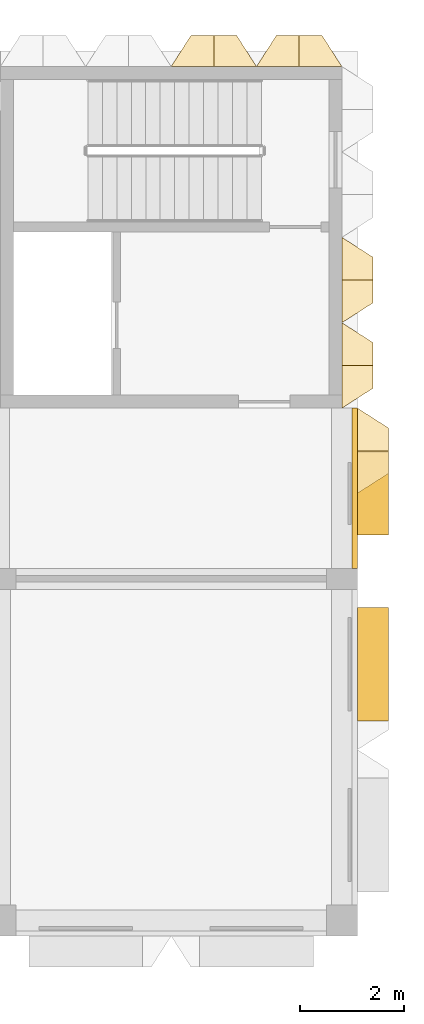
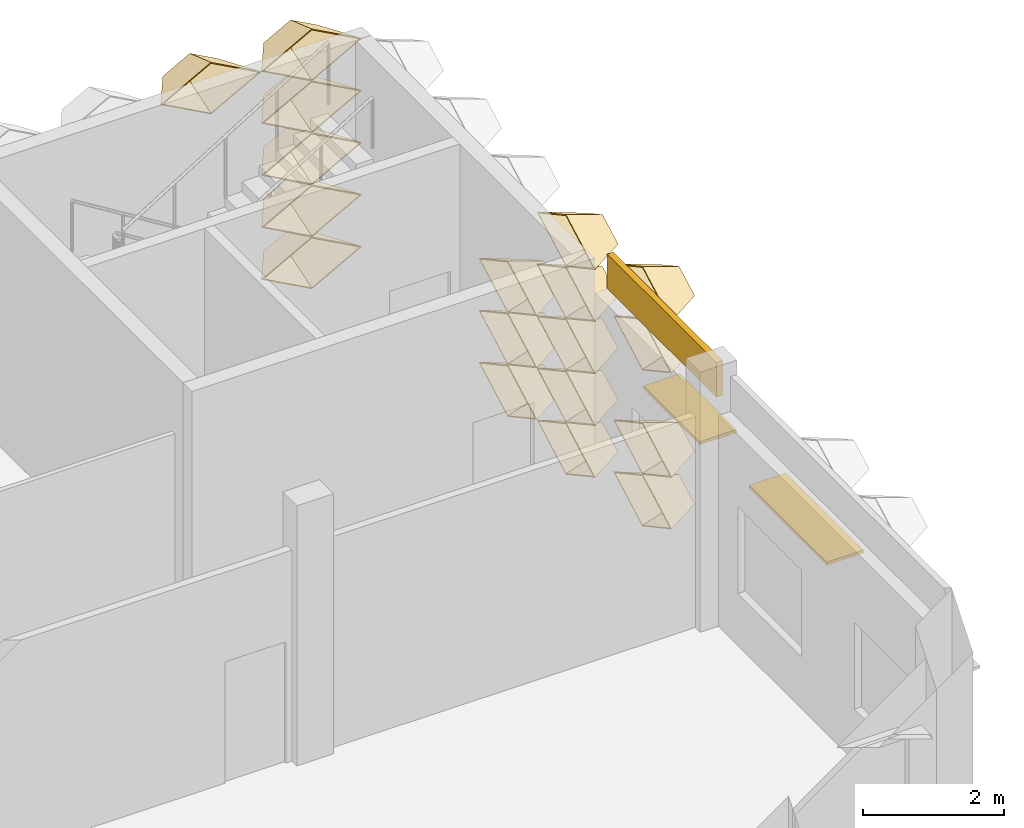
# One storey, part 99 of 109: 19 coverings, 2 shading devices.
"""IFC4 building model written with IfcOpenShell, lengths in metres."""

from ifc_helpers import new_model, entity, si_unit, direction, frame, frame_2d, origin, origin_2d, place, context, subcontext, project, spatial, rectangle, extrude, material, layer, layer_set, type_object, element, save


model = new_model("IFC4")

# Units and contexts
model_context = context("Model", 3, precision=1e-05, world=origin(), true_north=direction((0.0, 1.0)))
body_context = subcontext(model_context, "Body", "Model", "MODEL_VIEW")
ifc_project = project(units=[si_unit("LENGTHUNIT", "METRE"), si_unit("AREAUNIT", "SQUARE_METRE"), si_unit("VOLUMEUNIT", "CUBIC_METRE"), si_unit("PLANEANGLEUNIT", "RADIAN"), si_unit("MASSUNIT", "GRAM", prefix="KILO")], contexts=[model_context])

# Site, building, storey
site_placement = place(None, origin())
site = spatial("IfcSite", under=ifc_project, at=site_placement, CompositionType="ELEMENT")
building_placement = place(site_placement, origin())
building = spatial("IfcBuilding", under=site, at=building_placement, Name="Lantern Court Research Institute", CompositionType="ELEMENT")
storey_placement = place(building_placement, frame((0.0, 0.0, 14.39990234375)))
storey = spatial("IfcBuildingStorey", under=building, at=storey_placement, Name="L03", CompositionType="ELEMENT", Elevation=14.39990234375)

# Shading devices
ifc_material_1 = material(Name="Aluminium alloy 6063-T6", Category="aluminium")
ifc_layer_1 = layer(ifc_material_1, 0.050048828125)
ifc_layer_set_1 = layer_set([ifc_layer_1], Name="Aluminium alloy 6063-T6")
shading_device_type_1 = type_object("IfcShadingDeviceType", Name="Brise-soleil blade 1600 x 600 x 50 aluminium", PredefinedType="USERDEFINED", material=ifc_layer_set_1)
shading_device_1_placement = place(storey_placement, frame((79.800048828125, 90.75, 2.39990234375), z_axis=(0.0, 0.0, 1.0), x_axis=(0.0, -1.0, 0.0)))
element("IfcShadingDevice", 1, at=shading_device_1_placement, inside=storey, type_object=shading_device_type_1, Name="Brise-soleil blade L03 E", ObjectType="LOUVRE", PredefinedType="USERDEFINED", context=body_context, shape_type="SweptSolid", body=[
    extrude(rectangle(XDim=1.60009765625, YDim=0.60009765625, at=origin_2d()), origin(), (0.0, 0.0, 1.0), 0.050048828125),
])
ifc_material_2 = material(Name="Aluminium alloy 6063-T6", Category="aluminium")
ifc_layer_2 = layer(ifc_material_2, 0.050048828125)
ifc_layer_set_2 = layer_set([ifc_layer_2], Name="Aluminium alloy 6063-T6")
shading_device_type_2 = type_object("IfcShadingDeviceType", Name="Brise-soleil blade 2200 x 600 x 50 aluminium", PredefinedType="USERDEFINED", material=ifc_layer_set_2)
shading_device_2_placement = place(storey_placement, frame((79.800048828125, 87.449951171875, 2.5), z_axis=(0.0, 0.0, 1.0), x_axis=(0.0, -1.0, 0.0)))
element("IfcShadingDevice", 2, at=shading_device_2_placement, inside=storey, type_object=shading_device_type_2, Name="Brise-soleil blade L03 E", ObjectType="LOUVRE", PredefinedType="USERDEFINED", context=body_context, shape_type="SweptSolid", body=[
    extrude(rectangle(XDim=2.199951171875, YDim=0.60009765625, at=origin_2d()), origin(), (0.0, 0.0, 1.0), 0.050048828125),
])

# Coverings
ifc_material_3 = material(Name="Aluminium composite panel with mineral wool insulation", Category="aluminium")
ifc_layer_3 = layer(ifc_material_3, 0.10009765625)
ifc_layer_set_3 = layer_set([ifc_layer_3], Name="Aluminium composite panel with mineral wool insulation")
covering_type_1 = type_object("IfcCoveringType", Name="Edge fascia panel 100 aluminium faced", PredefinedType="CLADDING", material=ifc_layer_set_3)
covering_1_placement = place(storey_placement, frame((79.449951171875, 92.39990234375, 3.650146484375), z_axis=(0.0, 0.0, 1.0), x_axis=(0.0, -1.0, 0.0)))
element("IfcCovering", 3, at=covering_1_placement, inside=storey, type_object=covering_type_1, Name="Edge fascia V6E L03 02", PredefinedType="CLADDING", context=body_context, shape_type="SweptSolid", body=[
    extrude(rectangle(XDim=3.099853515625, YDim=0.10009765625, at=frame_2d((1.5498046875, 0.0))), origin(), (0.0, 0.0, 1.0), 0.599853515625),
])
ifc_material_4 = material(Name="Anodised aluminium", Category="aluminium")
ifc_layer_4 = layer(ifc_material_4, 0.01611328125)
ifc_layer_set_4 = layer_set([ifc_layer_4], Name="Anodised aluminium")
covering_type_2 = type_object("IfcCoveringType", Name="Fin cassette 1650 x 900 x 600 aluminium", PredefinedType="CLADDING", material=ifc_layer_set_4)
covering_2_placement = place(storey_placement, frame((79.199951171875, 93.22509765625, 0.4501953125), z_axis=(1.0, 0.0, 0.0), x_axis=(0.0, 1.0, 0.0)))
cartesian_point_1 = entity("IfcCartesianPoint", [0.824951171875, 0.0])
cartesian_point_2 = entity("IfcCartesianPoint", [0.79150390625, 0.0])
cartesian_point_3 = entity("IfcCartesianPoint", [0.44189453125, 0.0])
cartesian_point_4 = entity("IfcCartesianPoint", [0.43359375, 0.0])
element("IfcCovering", 4, at=covering_2_placement, inside=storey, type_object=covering_type_2, Name="Fin cassette V6E-L03 1.57", PredefinedType="CLADDING", context=body_context, shape_type="SweptSolid", body=[
    entity("IfcExtrudedAreaSolidTapered", entity("IfcArbitraryProfileDefWithVoids", "AREA", None, entity("IfcPolyline", [cartesian_point_1, entity("IfcCartesianPoint", [0.0, 0.449951171875]), entity("IfcCartesianPoint", [-0.824951171875, 0.0]), entity("IfcCartesianPoint", [0.0, -0.449951171875]), cartesian_point_1]), [entity("IfcPolyline", [cartesian_point_2, entity("IfcCartesianPoint", [0.0, 0.431884765625]), entity("IfcCartesianPoint", [-0.79150390625, 0.0]), entity("IfcCartesianPoint", [0.0, -0.431884765625]), cartesian_point_2])]), entity("IfcAxis2Placement3D", entity("IfcCartesianPoint", [0.0, 0.0, 0.0])), entity("IfcDirection", [0.0, 0.0, 1.0]), 0.60009765625, entity("IfcArbitraryProfileDefWithVoids", "AREA", None, entity("IfcPolyline", [cartesian_point_3, entity("IfcCartesianPoint", [0.0, 0.240966796875]), entity("IfcCartesianPoint", [-0.44189453125, 0.0]), entity("IfcCartesianPoint", [0.0, -0.240966796875]), cartesian_point_3]), [entity("IfcPolyline", [cartesian_point_4, entity("IfcCartesianPoint", [0.0, 0.236572265625]), entity("IfcCartesianPoint", [-0.43359375, 0.0]), entity("IfcCartesianPoint", [0.0, -0.236572265625]), cartesian_point_4])])),
])
covering_3_placement = place(storey_placement, frame((79.199951171875, 94.875, 0.4501953125), z_axis=(1.0, 0.0, 0.0), x_axis=(0.0, 1.0, 0.0)))
cartesian_point_5 = entity("IfcCartesianPoint", [0.824951171875, 0.0])
cartesian_point_6 = entity("IfcCartesianPoint", [0.79150390625, 0.0])
cartesian_point_7 = entity("IfcCartesianPoint", [0.44189453125, 0.0])
cartesian_point_8 = entity("IfcCartesianPoint", [0.43359375, 0.0])
element("IfcCovering", 5, at=covering_3_placement, inside=storey, type_object=covering_type_2, Name="Fin cassette V6E-L03 1.58", PredefinedType="CLADDING", context=body_context, shape_type="SweptSolid", body=[
    entity("IfcExtrudedAreaSolidTapered", entity("IfcArbitraryProfileDefWithVoids", "AREA", None, entity("IfcPolyline", [cartesian_point_5, entity("IfcCartesianPoint", [0.0, 0.449951171875]), entity("IfcCartesianPoint", [-0.824951171875, 0.0]), entity("IfcCartesianPoint", [0.0, -0.449951171875]), cartesian_point_5]), [entity("IfcPolyline", [cartesian_point_6, entity("IfcCartesianPoint", [0.0, 0.431884765625]), entity("IfcCartesianPoint", [-0.79150390625, 0.0]), entity("IfcCartesianPoint", [0.0, -0.431884765625]), cartesian_point_6])]), entity("IfcAxis2Placement3D", entity("IfcCartesianPoint", [0.0, 0.0, 0.0])), entity("IfcDirection", [0.0, 0.0, 1.0]), 0.60009765625, entity("IfcArbitraryProfileDefWithVoids", "AREA", None, entity("IfcPolyline", [cartesian_point_7, entity("IfcCartesianPoint", [0.0, 0.240966796875]), entity("IfcCartesianPoint", [-0.44189453125, 0.0]), entity("IfcCartesianPoint", [0.0, -0.240966796875]), cartesian_point_7]), [entity("IfcPolyline", [cartesian_point_8, entity("IfcCartesianPoint", [0.0, 0.236572265625]), entity("IfcCartesianPoint", [-0.43359375, 0.0]), entity("IfcCartesianPoint", [0.0, -0.236572265625]), cartesian_point_8])])),
])
covering_4_placement = place(storey_placement, frame((79.199951171875, 93.22509765625, 1.35009765625), z_axis=(1.0, 0.0, 0.0), x_axis=(0.0, 1.0, 0.0)))
cartesian_point_9 = entity("IfcCartesianPoint", [0.824951171875, 0.0])
cartesian_point_10 = entity("IfcCartesianPoint", [0.79150390625, 0.0])
cartesian_point_11 = entity("IfcCartesianPoint", [0.44189453125, 0.0])
cartesian_point_12 = entity("IfcCartesianPoint", [0.43359375, 0.0])
element("IfcCovering", 6, at=covering_4_placement, inside=storey, type_object=covering_type_2, Name="Fin cassette V6E-L03 2.57", PredefinedType="CLADDING", context=body_context, shape_type="SweptSolid", body=[
    entity("IfcExtrudedAreaSolidTapered", entity("IfcArbitraryProfileDefWithVoids", "AREA", None, entity("IfcPolyline", [cartesian_point_9, entity("IfcCartesianPoint", [0.0, 0.449951171875]), entity("IfcCartesianPoint", [-0.824951171875, 0.0]), entity("IfcCartesianPoint", [0.0, -0.449951171875]), cartesian_point_9]), [entity("IfcPolyline", [cartesian_point_10, entity("IfcCartesianPoint", [0.0, 0.431884765625]), entity("IfcCartesianPoint", [-0.79150390625, 0.0]), entity("IfcCartesianPoint", [0.0, -0.431884765625]), cartesian_point_10])]), entity("IfcAxis2Placement3D", entity("IfcCartesianPoint", [0.0, 0.0, 0.0])), entity("IfcDirection", [0.0, 0.0, 1.0]), 0.60009765625, entity("IfcArbitraryProfileDefWithVoids", "AREA", None, entity("IfcPolyline", [cartesian_point_11, entity("IfcCartesianPoint", [0.0, 0.240966796875]), entity("IfcCartesianPoint", [-0.44189453125, 0.0]), entity("IfcCartesianPoint", [0.0, -0.240966796875]), cartesian_point_11]), [entity("IfcPolyline", [cartesian_point_12, entity("IfcCartesianPoint", [0.0, 0.236572265625]), entity("IfcCartesianPoint", [-0.43359375, 0.0]), entity("IfcCartesianPoint", [0.0, -0.236572265625]), cartesian_point_12])])),
])
covering_5_placement = place(storey_placement, frame((79.199951171875, 94.875, 1.35009765625), z_axis=(1.0, 0.0, 0.0), x_axis=(0.0, 1.0, 0.0)))
cartesian_point_13 = entity("IfcCartesianPoint", [0.824951171875, 0.0])
cartesian_point_14 = entity("IfcCartesianPoint", [0.79150390625, 0.0])
cartesian_point_15 = entity("IfcCartesianPoint", [0.44189453125, 0.0])
cartesian_point_16 = entity("IfcCartesianPoint", [0.43359375, 0.0])
element("IfcCovering", 7, at=covering_5_placement, inside=storey, type_object=covering_type_2, Name="Fin cassette V6E-L03 2.58", PredefinedType="CLADDING", context=body_context, shape_type="SweptSolid", body=[
    entity("IfcExtrudedAreaSolidTapered", entity("IfcArbitraryProfileDefWithVoids", "AREA", None, entity("IfcPolyline", [cartesian_point_13, entity("IfcCartesianPoint", [0.0, 0.449951171875]), entity("IfcCartesianPoint", [-0.824951171875, 0.0]), entity("IfcCartesianPoint", [0.0, -0.449951171875]), cartesian_point_13]), [entity("IfcPolyline", [cartesian_point_14, entity("IfcCartesianPoint", [0.0, 0.431884765625]), entity("IfcCartesianPoint", [-0.79150390625, 0.0]), entity("IfcCartesianPoint", [0.0, -0.431884765625]), cartesian_point_14])]), entity("IfcAxis2Placement3D", entity("IfcCartesianPoint", [0.0, 0.0, 0.0])), entity("IfcDirection", [0.0, 0.0, 1.0]), 0.60009765625, entity("IfcArbitraryProfileDefWithVoids", "AREA", None, entity("IfcPolyline", [cartesian_point_15, entity("IfcCartesianPoint", [0.0, 0.240966796875]), entity("IfcCartesianPoint", [-0.44189453125, 0.0]), entity("IfcCartesianPoint", [0.0, -0.240966796875]), cartesian_point_15]), [entity("IfcPolyline", [cartesian_point_16, entity("IfcCartesianPoint", [0.0, 0.236572265625]), entity("IfcCartesianPoint", [-0.43359375, 0.0]), entity("IfcCartesianPoint", [0.0, -0.236572265625]), cartesian_point_16])])),
])
covering_6_placement = place(storey_placement, frame((79.199951171875, 93.22509765625, 2.25), z_axis=(1.0, 0.0, 0.0), x_axis=(0.0, 1.0, 0.0)))
cartesian_point_17 = entity("IfcCartesianPoint", [0.824951171875, 0.0])
cartesian_point_18 = entity("IfcCartesianPoint", [0.79150390625, 0.0])
cartesian_point_19 = entity("IfcCartesianPoint", [0.44189453125, 0.0])
cartesian_point_20 = entity("IfcCartesianPoint", [0.43359375, 0.0])
element("IfcCovering", 8, at=covering_6_placement, inside=storey, type_object=covering_type_2, Name="Fin cassette V6E-L03 3.57", PredefinedType="CLADDING", context=body_context, shape_type="SweptSolid", body=[
    entity("IfcExtrudedAreaSolidTapered", entity("IfcArbitraryProfileDefWithVoids", "AREA", None, entity("IfcPolyline", [cartesian_point_17, entity("IfcCartesianPoint", [0.0, 0.449951171875]), entity("IfcCartesianPoint", [-0.824951171875, 0.0]), entity("IfcCartesianPoint", [0.0, -0.449951171875]), cartesian_point_17]), [entity("IfcPolyline", [cartesian_point_18, entity("IfcCartesianPoint", [0.0, 0.431884765625]), entity("IfcCartesianPoint", [-0.79150390625, 0.0]), entity("IfcCartesianPoint", [0.0, -0.431884765625]), cartesian_point_18])]), entity("IfcAxis2Placement3D", entity("IfcCartesianPoint", [0.0, 0.0, 0.0])), entity("IfcDirection", [0.0, 0.0, 1.0]), 0.60009765625, entity("IfcArbitraryProfileDefWithVoids", "AREA", None, entity("IfcPolyline", [cartesian_point_19, entity("IfcCartesianPoint", [0.0, 0.240966796875]), entity("IfcCartesianPoint", [-0.44189453125, 0.0]), entity("IfcCartesianPoint", [0.0, -0.240966796875]), cartesian_point_19]), [entity("IfcPolyline", [cartesian_point_20, entity("IfcCartesianPoint", [0.0, 0.236572265625]), entity("IfcCartesianPoint", [-0.43359375, 0.0]), entity("IfcCartesianPoint", [0.0, -0.236572265625]), cartesian_point_20])])),
])
covering_7_placement = place(storey_placement, frame((79.199951171875, 94.875, 2.25), z_axis=(1.0, 0.0, 0.0), x_axis=(0.0, 1.0, 0.0)))
cartesian_point_21 = entity("IfcCartesianPoint", [0.824951171875, 0.0])
cartesian_point_22 = entity("IfcCartesianPoint", [0.79150390625, 0.0])
cartesian_point_23 = entity("IfcCartesianPoint", [0.44189453125, 0.0])
cartesian_point_24 = entity("IfcCartesianPoint", [0.43359375, 0.0])
element("IfcCovering", 9, at=covering_7_placement, inside=storey, type_object=covering_type_2, Name="Fin cassette V6E-L03 3.58", PredefinedType="CLADDING", context=body_context, shape_type="SweptSolid", body=[
    entity("IfcExtrudedAreaSolidTapered", entity("IfcArbitraryProfileDefWithVoids", "AREA", None, entity("IfcPolyline", [cartesian_point_21, entity("IfcCartesianPoint", [0.0, 0.449951171875]), entity("IfcCartesianPoint", [-0.824951171875, 0.0]), entity("IfcCartesianPoint", [0.0, -0.449951171875]), cartesian_point_21]), [entity("IfcPolyline", [cartesian_point_22, entity("IfcCartesianPoint", [0.0, 0.431884765625]), entity("IfcCartesianPoint", [-0.79150390625, 0.0]), entity("IfcCartesianPoint", [0.0, -0.431884765625]), cartesian_point_22])]), entity("IfcAxis2Placement3D", entity("IfcCartesianPoint", [0.0, 0.0, 0.0])), entity("IfcDirection", [0.0, 0.0, 1.0]), 0.60009765625, entity("IfcArbitraryProfileDefWithVoids", "AREA", None, entity("IfcPolyline", [cartesian_point_23, entity("IfcCartesianPoint", [0.0, 0.240966796875]), entity("IfcCartesianPoint", [-0.44189453125, 0.0]), entity("IfcCartesianPoint", [0.0, -0.240966796875]), cartesian_point_23]), [entity("IfcPolyline", [cartesian_point_24, entity("IfcCartesianPoint", [0.0, 0.236572265625]), entity("IfcCartesianPoint", [-0.43359375, 0.0]), entity("IfcCartesianPoint", [0.0, -0.236572265625]), cartesian_point_24])])),
])
covering_8_placement = place(storey_placement, frame((79.199951171875, 93.22509765625, 3.150146484375), z_axis=(1.0, 0.0, 0.0), x_axis=(0.0, 1.0, 0.0)))
cartesian_point_25 = entity("IfcCartesianPoint", [0.824951171875, 0.0])
cartesian_point_26 = entity("IfcCartesianPoint", [0.79150390625, 0.0])
cartesian_point_27 = entity("IfcCartesianPoint", [0.44189453125, 0.0])
cartesian_point_28 = entity("IfcCartesianPoint", [0.43359375, 0.0])
element("IfcCovering", 10, at=covering_8_placement, inside=storey, type_object=covering_type_2, Name="Fin cassette V6E-L03 4.57", PredefinedType="CLADDING", context=body_context, shape_type="SweptSolid", body=[
    entity("IfcExtrudedAreaSolidTapered", entity("IfcArbitraryProfileDefWithVoids", "AREA", None, entity("IfcPolyline", [cartesian_point_25, entity("IfcCartesianPoint", [0.0, 0.449951171875]), entity("IfcCartesianPoint", [-0.824951171875, 0.0]), entity("IfcCartesianPoint", [0.0, -0.449951171875]), cartesian_point_25]), [entity("IfcPolyline", [cartesian_point_26, entity("IfcCartesianPoint", [0.0, 0.431884765625]), entity("IfcCartesianPoint", [-0.79150390625, 0.0]), entity("IfcCartesianPoint", [0.0, -0.431884765625]), cartesian_point_26])]), entity("IfcAxis2Placement3D", entity("IfcCartesianPoint", [0.0, 0.0, 0.0])), entity("IfcDirection", [0.0, 0.0, 1.0]), 0.60009765625, entity("IfcArbitraryProfileDefWithVoids", "AREA", None, entity("IfcPolyline", [cartesian_point_27, entity("IfcCartesianPoint", [0.0, 0.240966796875]), entity("IfcCartesianPoint", [-0.44189453125, 0.0]), entity("IfcCartesianPoint", [0.0, -0.240966796875]), cartesian_point_27]), [entity("IfcPolyline", [cartesian_point_28, entity("IfcCartesianPoint", [0.0, 0.236572265625]), entity("IfcCartesianPoint", [-0.43359375, 0.0]), entity("IfcCartesianPoint", [0.0, -0.236572265625]), cartesian_point_28])])),
])
covering_9_placement = place(storey_placement, frame((79.199951171875, 93.22509765625, 4.050048828125), z_axis=(1.0, 0.0, 0.0), x_axis=(0.0, 1.0, 0.0)))
cartesian_point_29 = entity("IfcCartesianPoint", [0.824951171875, 0.0])
cartesian_point_30 = entity("IfcCartesianPoint", [0.79150390625, 0.0])
cartesian_point_31 = entity("IfcCartesianPoint", [0.44189453125, 0.0])
cartesian_point_32 = entity("IfcCartesianPoint", [0.43359375, 0.0])
element("IfcCovering", 11, at=covering_9_placement, inside=storey, type_object=covering_type_2, Name="Fin cassette V6E-L03 5.57", PredefinedType="CLADDING", context=body_context, shape_type="SweptSolid", body=[
    entity("IfcExtrudedAreaSolidTapered", entity("IfcArbitraryProfileDefWithVoids", "AREA", None, entity("IfcPolyline", [cartesian_point_29, entity("IfcCartesianPoint", [0.0, 0.449951171875]), entity("IfcCartesianPoint", [-0.824951171875, 0.0]), entity("IfcCartesianPoint", [0.0, -0.449951171875]), cartesian_point_29]), [entity("IfcPolyline", [cartesian_point_30, entity("IfcCartesianPoint", [0.0, 0.431884765625]), entity("IfcCartesianPoint", [-0.79150390625, 0.0]), entity("IfcCartesianPoint", [0.0, -0.431884765625]), cartesian_point_30])]), entity("IfcAxis2Placement3D", entity("IfcCartesianPoint", [0.0, 0.0, 0.0])), entity("IfcDirection", [0.0, 0.0, 1.0]), 0.60009765625, entity("IfcArbitraryProfileDefWithVoids", "AREA", None, entity("IfcPolyline", [cartesian_point_31, entity("IfcCartesianPoint", [0.0, 0.240966796875]), entity("IfcCartesianPoint", [-0.44189453125, 0.0]), entity("IfcCartesianPoint", [0.0, -0.240966796875]), cartesian_point_31]), [entity("IfcPolyline", [cartesian_point_32, entity("IfcCartesianPoint", [0.0, 0.236572265625]), entity("IfcCartesianPoint", [-0.43359375, 0.0]), entity("IfcCartesianPoint", [0.0, -0.236572265625]), cartesian_point_32])])),
])
covering_10_placement = place(storey_placement, frame((79.5, 91.574951171875, 0.4501953125), z_axis=(1.0, 0.0, 0.0), x_axis=(0.0, 1.0, 0.0)))
cartesian_point_33 = entity("IfcCartesianPoint", [0.824951171875, 0.0])
cartesian_point_34 = entity("IfcCartesianPoint", [0.79150390625, 0.0])
cartesian_point_35 = entity("IfcCartesianPoint", [0.44189453125, 0.0])
cartesian_point_36 = entity("IfcCartesianPoint", [0.43359375, 0.0])
element("IfcCovering", 12, at=covering_10_placement, inside=storey, type_object=covering_type_2, Name="Fin cassette V6E-L03 1.56", PredefinedType="CLADDING", context=body_context, shape_type="SweptSolid", body=[
    entity("IfcExtrudedAreaSolidTapered", entity("IfcArbitraryProfileDefWithVoids", "AREA", None, entity("IfcPolyline", [cartesian_point_33, entity("IfcCartesianPoint", [0.0, 0.449951171875]), entity("IfcCartesianPoint", [-0.824951171875, 0.0]), entity("IfcCartesianPoint", [0.0, -0.449951171875]), cartesian_point_33]), [entity("IfcPolyline", [cartesian_point_34, entity("IfcCartesianPoint", [0.0, 0.431884765625]), entity("IfcCartesianPoint", [-0.79150390625, 0.0]), entity("IfcCartesianPoint", [0.0, -0.431884765625]), cartesian_point_34])]), entity("IfcAxis2Placement3D", entity("IfcCartesianPoint", [0.0, 0.0, 0.0])), entity("IfcDirection", [0.0, 0.0, 1.0]), 0.60009765625, entity("IfcArbitraryProfileDefWithVoids", "AREA", None, entity("IfcPolyline", [cartesian_point_35, entity("IfcCartesianPoint", [0.0, 0.240966796875]), entity("IfcCartesianPoint", [-0.44189453125, 0.0]), entity("IfcCartesianPoint", [0.0, -0.240966796875]), cartesian_point_35]), [entity("IfcPolyline", [cartesian_point_36, entity("IfcCartesianPoint", [0.0, 0.236572265625]), entity("IfcCartesianPoint", [-0.43359375, 0.0]), entity("IfcCartesianPoint", [0.0, -0.236572265625]), cartesian_point_36])])),
])
covering_11_placement = place(storey_placement, frame((79.5, 91.574951171875, 1.35009765625), z_axis=(1.0, 0.0, 0.0), x_axis=(0.0, 1.0, 0.0)))
cartesian_point_37 = entity("IfcCartesianPoint", [0.824951171875, 0.0])
cartesian_point_38 = entity("IfcCartesianPoint", [0.79150390625, 0.0])
cartesian_point_39 = entity("IfcCartesianPoint", [0.44189453125, 0.0])
cartesian_point_40 = entity("IfcCartesianPoint", [0.43359375, 0.0])
element("IfcCovering", 13, at=covering_11_placement, inside=storey, type_object=covering_type_2, Name="Fin cassette V6E-L03 2.56", PredefinedType="CLADDING", context=body_context, shape_type="SweptSolid", body=[
    entity("IfcExtrudedAreaSolidTapered", entity("IfcArbitraryProfileDefWithVoids", "AREA", None, entity("IfcPolyline", [cartesian_point_37, entity("IfcCartesianPoint", [0.0, 0.449951171875]), entity("IfcCartesianPoint", [-0.824951171875, 0.0]), entity("IfcCartesianPoint", [0.0, -0.449951171875]), cartesian_point_37]), [entity("IfcPolyline", [cartesian_point_38, entity("IfcCartesianPoint", [0.0, 0.431884765625]), entity("IfcCartesianPoint", [-0.79150390625, 0.0]), entity("IfcCartesianPoint", [0.0, -0.431884765625]), cartesian_point_38])]), entity("IfcAxis2Placement3D", entity("IfcCartesianPoint", [0.0, 0.0, 0.0])), entity("IfcDirection", [0.0, 0.0, 1.0]), 0.60009765625, entity("IfcArbitraryProfileDefWithVoids", "AREA", None, entity("IfcPolyline", [cartesian_point_39, entity("IfcCartesianPoint", [0.0, 0.240966796875]), entity("IfcCartesianPoint", [-0.44189453125, 0.0]), entity("IfcCartesianPoint", [0.0, -0.240966796875]), cartesian_point_39]), [entity("IfcPolyline", [cartesian_point_40, entity("IfcCartesianPoint", [0.0, 0.236572265625]), entity("IfcCartesianPoint", [-0.43359375, 0.0]), entity("IfcCartesianPoint", [0.0, -0.236572265625]), cartesian_point_40])])),
])
covering_12_placement = place(storey_placement, frame((79.5, 91.574951171875, 3.150146484375), z_axis=(1.0, 0.0, 0.0), x_axis=(0.0, 1.0, 0.0)))
cartesian_point_41 = entity("IfcCartesianPoint", [0.824951171875, 0.0])
cartesian_point_42 = entity("IfcCartesianPoint", [0.79150390625, 0.0])
cartesian_point_43 = entity("IfcCartesianPoint", [0.44189453125, 0.0])
cartesian_point_44 = entity("IfcCartesianPoint", [0.43359375, 0.0])
element("IfcCovering", 14, at=covering_12_placement, inside=storey, type_object=covering_type_2, Name="Fin cassette V6E-L03 4.56", PredefinedType="CLADDING", context=body_context, shape_type="SweptSolid", body=[
    entity("IfcExtrudedAreaSolidTapered", entity("IfcArbitraryProfileDefWithVoids", "AREA", None, entity("IfcPolyline", [cartesian_point_41, entity("IfcCartesianPoint", [0.0, 0.449951171875]), entity("IfcCartesianPoint", [-0.824951171875, 0.0]), entity("IfcCartesianPoint", [0.0, -0.449951171875]), cartesian_point_41]), [entity("IfcPolyline", [cartesian_point_42, entity("IfcCartesianPoint", [0.0, 0.431884765625]), entity("IfcCartesianPoint", [-0.79150390625, 0.0]), entity("IfcCartesianPoint", [0.0, -0.431884765625]), cartesian_point_42])]), entity("IfcAxis2Placement3D", entity("IfcCartesianPoint", [0.0, 0.0, 0.0])), entity("IfcDirection", [0.0, 0.0, 1.0]), 0.60009765625, entity("IfcArbitraryProfileDefWithVoids", "AREA", None, entity("IfcPolyline", [cartesian_point_43, entity("IfcCartesianPoint", [0.0, 0.240966796875]), entity("IfcCartesianPoint", [-0.44189453125, 0.0]), entity("IfcCartesianPoint", [0.0, -0.240966796875]), cartesian_point_43]), [entity("IfcPolyline", [cartesian_point_44, entity("IfcCartesianPoint", [0.0, 0.236572265625]), entity("IfcCartesianPoint", [-0.43359375, 0.0]), entity("IfcCartesianPoint", [0.0, -0.236572265625]), cartesian_point_44])])),
])
covering_13_placement = place(storey_placement, frame((79.5, 91.574951171875, 4.050048828125), z_axis=(1.0, 0.0, 0.0), x_axis=(0.0, 1.0, 0.0)))
cartesian_point_45 = entity("IfcCartesianPoint", [0.824951171875, 0.0])
cartesian_point_46 = entity("IfcCartesianPoint", [0.79150390625, 0.0])
cartesian_point_47 = entity("IfcCartesianPoint", [0.44189453125, 0.0])
cartesian_point_48 = entity("IfcCartesianPoint", [0.43359375, 0.0])
element("IfcCovering", 15, at=covering_13_placement, inside=storey, type_object=covering_type_2, Name="Fin cassette V6E-L03 5.56", PredefinedType="CLADDING", context=body_context, shape_type="SweptSolid", body=[
    entity("IfcExtrudedAreaSolidTapered", entity("IfcArbitraryProfileDefWithVoids", "AREA", None, entity("IfcPolyline", [cartesian_point_45, entity("IfcCartesianPoint", [0.0, 0.449951171875]), entity("IfcCartesianPoint", [-0.824951171875, 0.0]), entity("IfcCartesianPoint", [0.0, -0.449951171875]), cartesian_point_45]), [entity("IfcPolyline", [cartesian_point_46, entity("IfcCartesianPoint", [0.0, 0.431884765625]), entity("IfcCartesianPoint", [-0.79150390625, 0.0]), entity("IfcCartesianPoint", [0.0, -0.431884765625]), cartesian_point_46])]), entity("IfcAxis2Placement3D", entity("IfcCartesianPoint", [0.0, 0.0, 0.0])), entity("IfcDirection", [0.0, 0.0, 1.0]), 0.60009765625, entity("IfcArbitraryProfileDefWithVoids", "AREA", None, entity("IfcPolyline", [cartesian_point_47, entity("IfcCartesianPoint", [0.0, 0.240966796875]), entity("IfcCartesianPoint", [-0.44189453125, 0.0]), entity("IfcCartesianPoint", [0.0, -0.240966796875]), cartesian_point_47]), [entity("IfcPolyline", [cartesian_point_48, entity("IfcCartesianPoint", [0.0, 0.236572265625]), entity("IfcCartesianPoint", [-0.43359375, 0.0]), entity("IfcCartesianPoint", [0.0, -0.236572265625]), cartesian_point_48])])),
])
covering_14_placement = place(storey_placement, frame((78.375, 99.0, 0.4501953125), z_axis=(0.0, 1.0, 0.0), x_axis=(-1.0, 0.0, 0.0)))
cartesian_point_49 = entity("IfcCartesianPoint", [0.824951171875, 0.0])
cartesian_point_50 = entity("IfcCartesianPoint", [0.79150390625, 0.0])
cartesian_point_51 = entity("IfcCartesianPoint", [0.44189453125, 0.0])
cartesian_point_52 = entity("IfcCartesianPoint", [0.43359375, 0.0])
element("IfcCovering", 16, at=covering_14_placement, inside=storey, type_object=covering_type_2, Name="Fin cassette V6N-L03 1.48", PredefinedType="CLADDING", context=body_context, shape_type="SweptSolid", body=[
    entity("IfcExtrudedAreaSolidTapered", entity("IfcArbitraryProfileDefWithVoids", "AREA", None, entity("IfcPolyline", [cartesian_point_49, entity("IfcCartesianPoint", [0.0, 0.449951171875]), entity("IfcCartesianPoint", [-0.824951171875, 0.0]), entity("IfcCartesianPoint", [0.0, -0.449951171875]), cartesian_point_49]), [entity("IfcPolyline", [cartesian_point_50, entity("IfcCartesianPoint", [0.0, 0.431884765625]), entity("IfcCartesianPoint", [-0.79150390625, 0.0]), entity("IfcCartesianPoint", [0.0, -0.431884765625]), cartesian_point_50])]), entity("IfcAxis2Placement3D", entity("IfcCartesianPoint", [0.0, 0.0, 0.0])), entity("IfcDirection", [0.0, 0.0, 1.0]), 0.60009765625, entity("IfcArbitraryProfileDefWithVoids", "AREA", None, entity("IfcPolyline", [cartesian_point_51, entity("IfcCartesianPoint", [0.0, 0.240966796875]), entity("IfcCartesianPoint", [-0.44189453125, 0.0]), entity("IfcCartesianPoint", [0.0, -0.240966796875]), cartesian_point_51]), [entity("IfcPolyline", [cartesian_point_52, entity("IfcCartesianPoint", [0.0, 0.236572265625]), entity("IfcCartesianPoint", [-0.43359375, 0.0]), entity("IfcCartesianPoint", [0.0, -0.236572265625]), cartesian_point_52])])),
])
covering_15_placement = place(storey_placement, frame((78.375, 99.0, 1.35009765625), z_axis=(0.0, 1.0, 0.0), x_axis=(-1.0, 0.0, 0.0)))
cartesian_point_53 = entity("IfcCartesianPoint", [0.824951171875, 0.0])
cartesian_point_54 = entity("IfcCartesianPoint", [0.79150390625, 0.0])
cartesian_point_55 = entity("IfcCartesianPoint", [0.44189453125, 0.0])
cartesian_point_56 = entity("IfcCartesianPoint", [0.43359375, 0.0])
element("IfcCovering", 17, at=covering_15_placement, inside=storey, type_object=covering_type_2, Name="Fin cassette V6N-L03 2.48", PredefinedType="CLADDING", context=body_context, shape_type="SweptSolid", body=[
    entity("IfcExtrudedAreaSolidTapered", entity("IfcArbitraryProfileDefWithVoids", "AREA", None, entity("IfcPolyline", [cartesian_point_53, entity("IfcCartesianPoint", [0.0, 0.449951171875]), entity("IfcCartesianPoint", [-0.824951171875, 0.0]), entity("IfcCartesianPoint", [0.0, -0.449951171875]), cartesian_point_53]), [entity("IfcPolyline", [cartesian_point_54, entity("IfcCartesianPoint", [0.0, 0.431884765625]), entity("IfcCartesianPoint", [-0.79150390625, 0.0]), entity("IfcCartesianPoint", [0.0, -0.431884765625]), cartesian_point_54])]), entity("IfcAxis2Placement3D", entity("IfcCartesianPoint", [0.0, 0.0, 0.0])), entity("IfcDirection", [0.0, 0.0, 1.0]), 0.60009765625, entity("IfcArbitraryProfileDefWithVoids", "AREA", None, entity("IfcPolyline", [cartesian_point_55, entity("IfcCartesianPoint", [0.0, 0.240966796875]), entity("IfcCartesianPoint", [-0.44189453125, 0.0]), entity("IfcCartesianPoint", [0.0, -0.240966796875]), cartesian_point_55]), [entity("IfcPolyline", [cartesian_point_56, entity("IfcCartesianPoint", [0.0, 0.236572265625]), entity("IfcCartesianPoint", [-0.43359375, 0.0]), entity("IfcCartesianPoint", [0.0, -0.236572265625]), cartesian_point_56])])),
])
covering_16_placement = place(storey_placement, frame((78.375, 99.0, 2.25), z_axis=(0.0, 1.0, 0.0), x_axis=(-1.0, 0.0, 0.0)))
cartesian_point_57 = entity("IfcCartesianPoint", [0.824951171875, 0.0])
cartesian_point_58 = entity("IfcCartesianPoint", [0.79150390625, 0.0])
cartesian_point_59 = entity("IfcCartesianPoint", [0.44189453125, 0.0])
cartesian_point_60 = entity("IfcCartesianPoint", [0.43359375, 0.0])
element("IfcCovering", 18, at=covering_16_placement, inside=storey, type_object=covering_type_2, Name="Fin cassette V6N-L03 3.48", PredefinedType="CLADDING", context=body_context, shape_type="SweptSolid", body=[
    entity("IfcExtrudedAreaSolidTapered", entity("IfcArbitraryProfileDefWithVoids", "AREA", None, entity("IfcPolyline", [cartesian_point_57, entity("IfcCartesianPoint", [0.0, 0.449951171875]), entity("IfcCartesianPoint", [-0.824951171875, 0.0]), entity("IfcCartesianPoint", [0.0, -0.449951171875]), cartesian_point_57]), [entity("IfcPolyline", [cartesian_point_58, entity("IfcCartesianPoint", [0.0, 0.431884765625]), entity("IfcCartesianPoint", [-0.79150390625, 0.0]), entity("IfcCartesianPoint", [0.0, -0.431884765625]), cartesian_point_58])]), entity("IfcAxis2Placement3D", entity("IfcCartesianPoint", [0.0, 0.0, 0.0])), entity("IfcDirection", [0.0, 0.0, 1.0]), 0.60009765625, entity("IfcArbitraryProfileDefWithVoids", "AREA", None, entity("IfcPolyline", [cartesian_point_59, entity("IfcCartesianPoint", [0.0, 0.240966796875]), entity("IfcCartesianPoint", [-0.44189453125, 0.0]), entity("IfcCartesianPoint", [0.0, -0.240966796875]), cartesian_point_59]), [entity("IfcPolyline", [cartesian_point_60, entity("IfcCartesianPoint", [0.0, 0.236572265625]), entity("IfcCartesianPoint", [-0.43359375, 0.0]), entity("IfcCartesianPoint", [0.0, -0.236572265625]), cartesian_point_60])])),
])
covering_17_placement = place(storey_placement, frame((78.375, 99.0, 3.150146484375), z_axis=(0.0, 1.0, 0.0), x_axis=(-1.0, 0.0, 0.0)))
cartesian_point_61 = entity("IfcCartesianPoint", [0.824951171875, 0.0])
cartesian_point_62 = entity("IfcCartesianPoint", [0.79150390625, 0.0])
cartesian_point_63 = entity("IfcCartesianPoint", [0.44189453125, 0.0])
cartesian_point_64 = entity("IfcCartesianPoint", [0.43359375, 0.0])
element("IfcCovering", 19, at=covering_17_placement, inside=storey, type_object=covering_type_2, Name="Fin cassette V6N-L03 4.48", PredefinedType="CLADDING", context=body_context, shape_type="SweptSolid", body=[
    entity("IfcExtrudedAreaSolidTapered", entity("IfcArbitraryProfileDefWithVoids", "AREA", None, entity("IfcPolyline", [cartesian_point_61, entity("IfcCartesianPoint", [0.0, 0.449951171875]), entity("IfcCartesianPoint", [-0.824951171875, 0.0]), entity("IfcCartesianPoint", [0.0, -0.449951171875]), cartesian_point_61]), [entity("IfcPolyline", [cartesian_point_62, entity("IfcCartesianPoint", [0.0, 0.431884765625]), entity("IfcCartesianPoint", [-0.79150390625, 0.0]), entity("IfcCartesianPoint", [0.0, -0.431884765625]), cartesian_point_62])]), entity("IfcAxis2Placement3D", entity("IfcCartesianPoint", [0.0, 0.0, 0.0])), entity("IfcDirection", [0.0, 0.0, 1.0]), 0.60009765625, entity("IfcArbitraryProfileDefWithVoids", "AREA", None, entity("IfcPolyline", [cartesian_point_63, entity("IfcCartesianPoint", [0.0, 0.240966796875]), entity("IfcCartesianPoint", [-0.44189453125, 0.0]), entity("IfcCartesianPoint", [0.0, -0.240966796875]), cartesian_point_63]), [entity("IfcPolyline", [cartesian_point_64, entity("IfcCartesianPoint", [0.0, 0.236572265625]), entity("IfcCartesianPoint", [-0.43359375, 0.0]), entity("IfcCartesianPoint", [0.0, -0.236572265625]), cartesian_point_64])])),
])
covering_18_placement = place(storey_placement, frame((76.72509765625, 99.0, 4.050048828125), z_axis=(0.0, 1.0, 0.0), x_axis=(-1.0, 0.0, 0.0)))
cartesian_point_65 = entity("IfcCartesianPoint", [0.824951171875, 0.0])
cartesian_point_66 = entity("IfcCartesianPoint", [0.79150390625, 0.0])
cartesian_point_67 = entity("IfcCartesianPoint", [0.44189453125, 0.0])
cartesian_point_68 = entity("IfcCartesianPoint", [0.43359375, 0.0])
element("IfcCovering", 20, at=covering_18_placement, inside=storey, type_object=covering_type_2, Name="Fin cassette V6N-L03 5.47", PredefinedType="CLADDING", context=body_context, shape_type="SweptSolid", body=[
    entity("IfcExtrudedAreaSolidTapered", entity("IfcArbitraryProfileDefWithVoids", "AREA", None, entity("IfcPolyline", [cartesian_point_65, entity("IfcCartesianPoint", [0.0, 0.449951171875]), entity("IfcCartesianPoint", [-0.824951171875, 0.0]), entity("IfcCartesianPoint", [0.0, -0.449951171875]), cartesian_point_65]), [entity("IfcPolyline", [cartesian_point_66, entity("IfcCartesianPoint", [0.0, 0.431884765625]), entity("IfcCartesianPoint", [-0.79150390625, 0.0]), entity("IfcCartesianPoint", [0.0, -0.431884765625]), cartesian_point_66])]), entity("IfcAxis2Placement3D", entity("IfcCartesianPoint", [0.0, 0.0, 0.0])), entity("IfcDirection", [0.0, 0.0, 1.0]), 0.60009765625, entity("IfcArbitraryProfileDefWithVoids", "AREA", None, entity("IfcPolyline", [cartesian_point_67, entity("IfcCartesianPoint", [0.0, 0.240966796875]), entity("IfcCartesianPoint", [-0.44189453125, 0.0]), entity("IfcCartesianPoint", [0.0, -0.240966796875]), cartesian_point_67]), [entity("IfcPolyline", [cartesian_point_68, entity("IfcCartesianPoint", [0.0, 0.236572265625]), entity("IfcCartesianPoint", [-0.43359375, 0.0]), entity("IfcCartesianPoint", [0.0, -0.236572265625]), cartesian_point_68])])),
])
covering_19_placement = place(storey_placement, frame((78.375, 99.0, 4.050048828125), z_axis=(0.0, 1.0, 0.0), x_axis=(-1.0, 0.0, 0.0)))
cartesian_point_69 = entity("IfcCartesianPoint", [0.824951171875, 0.0])
cartesian_point_70 = entity("IfcCartesianPoint", [0.79150390625, 0.0])
cartesian_point_71 = entity("IfcCartesianPoint", [0.44189453125, 0.0])
cartesian_point_72 = entity("IfcCartesianPoint", [0.43359375, 0.0])
element("IfcCovering", 21, at=covering_19_placement, inside=storey, type_object=covering_type_2, Name="Fin cassette V6N-L03 5.48", PredefinedType="CLADDING", context=body_context, shape_type="SweptSolid", body=[
    entity("IfcExtrudedAreaSolidTapered", entity("IfcArbitraryProfileDefWithVoids", "AREA", None, entity("IfcPolyline", [cartesian_point_69, entity("IfcCartesianPoint", [0.0, 0.449951171875]), entity("IfcCartesianPoint", [-0.824951171875, 0.0]), entity("IfcCartesianPoint", [0.0, -0.449951171875]), cartesian_point_69]), [entity("IfcPolyline", [cartesian_point_70, entity("IfcCartesianPoint", [0.0, 0.431884765625]), entity("IfcCartesianPoint", [-0.79150390625, 0.0]), entity("IfcCartesianPoint", [0.0, -0.431884765625]), cartesian_point_70])]), entity("IfcAxis2Placement3D", entity("IfcCartesianPoint", [0.0, 0.0, 0.0])), entity("IfcDirection", [0.0, 0.0, 1.0]), 0.60009765625, entity("IfcArbitraryProfileDefWithVoids", "AREA", None, entity("IfcPolyline", [cartesian_point_71, entity("IfcCartesianPoint", [0.0, 0.240966796875]), entity("IfcCartesianPoint", [-0.44189453125, 0.0]), entity("IfcCartesianPoint", [0.0, -0.240966796875]), cartesian_point_71]), [entity("IfcPolyline", [cartesian_point_72, entity("IfcCartesianPoint", [0.0, 0.236572265625]), entity("IfcCartesianPoint", [-0.43359375, 0.0]), entity("IfcCartesianPoint", [0.0, -0.236572265625]), cartesian_point_72])])),
])

save(model, "model.ifc")
